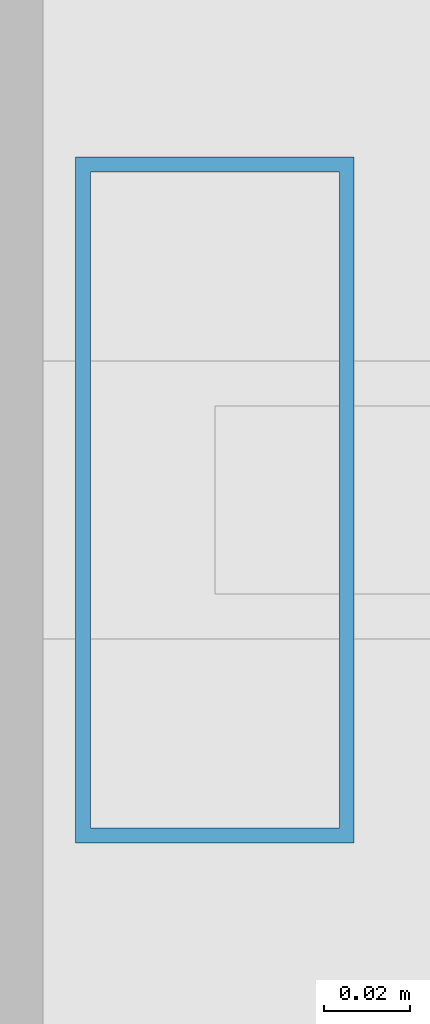
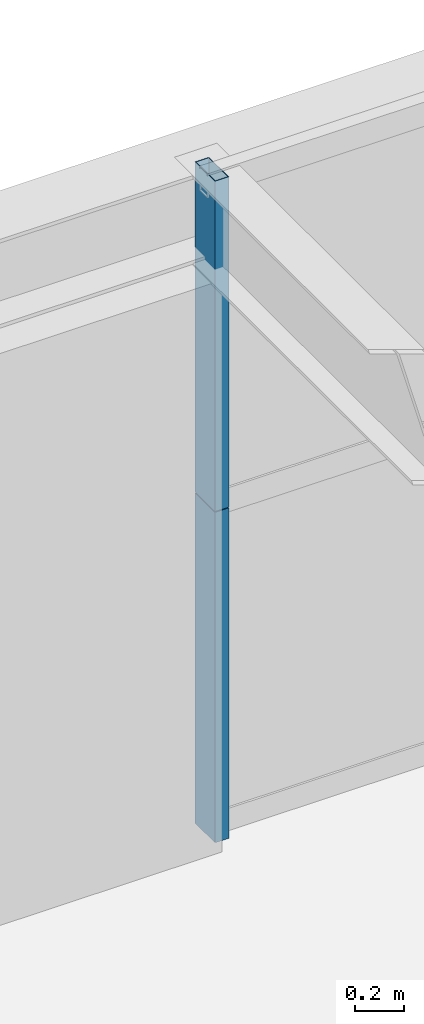
# One storey, part 23 of 35: 2 members, 1 element without a shape of its own.
"""IFC4 building model written with IfcOpenShell, lengths in metres."""

from ifc_helpers import new_model, si_unit, direction, frame, origin, origin_2d, place, context, subcontext, project, spatial, hollow_rectangle, extrude, source, transform, mapped, material, layer, layer_set, material_profile, profile_set, type_object, element, aggregate, save


model = new_model("IFC4")

# Units and contexts
model_context = context("Model", 3, precision=1e-05, world=origin(), true_north=direction((0.0, 1.0)))
body_context = subcontext(model_context, "Body", "Model", "MODEL_VIEW")
ifc_project = project(units=[si_unit("LENGTHUNIT", "METRE"), si_unit("AREAUNIT", "SQUARE_METRE"), si_unit("VOLUMEUNIT", "CUBIC_METRE"), si_unit("PLANEANGLEUNIT", "RADIAN"), si_unit("MASSUNIT", "GRAM", prefix="KILO"), si_unit("THERMODYNAMICTEMPERATUREUNIT", "KELVIN"), si_unit("POWERUNIT", "WATT")], contexts=[model_context])

# Site, building, storey
site_placement = place(None, origin())
site = spatial("IfcSite", under=ifc_project, at=site_placement, CompositionType="ELEMENT")
building_placement = place(site_placement, origin())
building = spatial("IfcBuilding", under=site, at=building_placement, Name="Yuzanri Waterfront Tower", CompositionType="ELEMENT")
storey_placement = place(building_placement, frame((0.0, 0.0, 227.60009765625)))
storey = spatial("IfcBuildingStorey", under=building, at=storey_placement, Name="L60", CompositionType="ELEMENT", Elevation=227.60009765625)

# Curtain wall, members
ifc_material_1 = material(Name="Anodized Architectural Bronze", Category="metal")
ifc_layer = layer(ifc_material_1, 0.159912109375)
ifc_layer_set = layer_set([ifc_layer], Name="Anodized Architectural Bronze")
curtain_wall_type = type_object("IfcCurtainWallType", Name="Anodized Bronze Mid-Rise Residential Acoustic Unitized Curtain Wall 7200", PredefinedType="NOTDEFINED", material=ifc_layer_set)
curtain_wall_placement = place(storey_placement, origin())
curtain_wall = element("IfcCurtainWall", 1, at=curtain_wall_placement, inside=storey, type_object=curtain_wall_type, Name="L60 Curtain Wall CW-L60-NL", PredefinedType="NOTDEFINED")
ifc_material_2 = material(Name="Anodized Architectural Bronze", Category="metal")
ifc_material_profile = material_profile(ifc_material_2, hollow_rectangle(XDim=0.06494140625, YDim=0.159912109375, WallThickness=0.00341796875, at=origin_2d()), Name="CWM 65x160")
ifc_profile_set = profile_set([ifc_material_profile], Name="Anodized Architectural Bronze")
member_type = type_object("IfcMemberType", Name="Anodized Bronze Upper-Zone Curtain-Wall Mullion 65x160", PredefinedType="MULLION", material=ifc_profile_set)
shared_shape = source(origin(), body_context, "Body", "SweptSolid", [
    extrude(hollow_rectangle(XDim=0.06494140625, YDim=0.159912109375, WallThickness=0.00341796875, at=origin_2d()), origin(), (0.0, 0.0, 1.0), 1.637939453125),
])
member_1_placement = place(storey_placement, frame((23.7900390625, 46.25, 0.0), z_axis=(0.0, 0.0, 1.0), x_axis=(1.0, 0.0, 0.0)))
member_1 = element("IfcMember", 2, at=member_1_placement, type_object=member_type, Name="CW-L60-NL Lower Mullion 00", PredefinedType="MULLION", context=body_context, shape_type="MappedRepresentation", body=[
    mapped(shared_shape, transform((0.0, 0.0, 0.0), scale=1.0)),
])
member_2_placement = place(storey_placement, frame((23.7900390625, 46.25, 1.641845703125), z_axis=(0.0, 0.0, 1.0), x_axis=(1.0, 0.0, 0.0)))
member_2 = element("IfcMember", 3, at=member_2_placement, type_object=member_type, Name="CW-L60-NL Upper Mullion 00", PredefinedType="MULLION", context=body_context, shape_type="MappedRepresentation", body=[
    mapped(shared_shape, transform((0.0, 0.0, 0.0), scale=1.0)),
])
aggregate(curtain_wall, [member_1, member_2])

save(model, "model.ifc")
